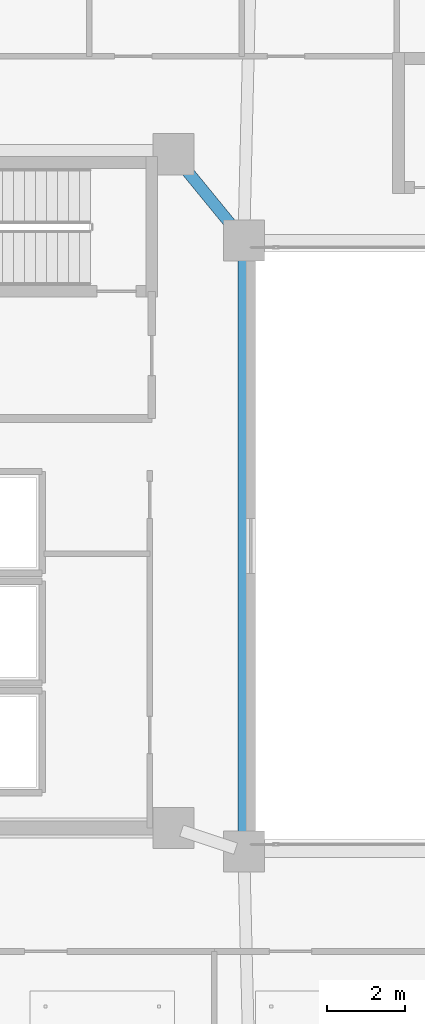
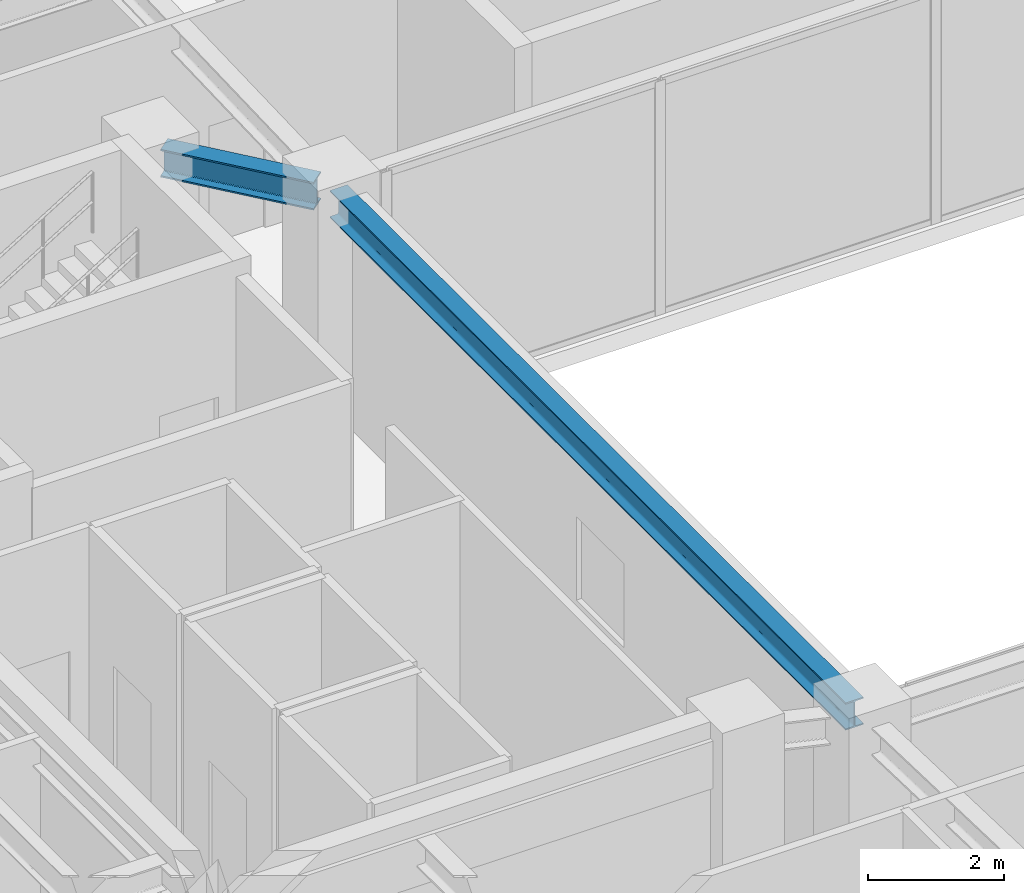
# One storey, part 9 of 33: 2 beams.
"""IFC4 building model written with IfcOpenShell, lengths in metres."""

from ifc_helpers import new_model, si_unit, direction, frame, origin, origin_2d, place, context, subcontext, project, spatial, i_section, extrude, material, material_profile, profile_set, type_object, element, save


model = new_model("IFC4")

# Units and contexts
model_context = context("Model", 3, precision=1e-05, world=origin(), true_north=direction((0.0, 1.0)))
body_context = subcontext(model_context, "Body", "Model", "MODEL_VIEW")
ifc_project = project(units=[si_unit("LENGTHUNIT", "METRE"), si_unit("AREAUNIT", "SQUARE_METRE"), si_unit("VOLUMEUNIT", "CUBIC_METRE"), si_unit("PLANEANGLEUNIT", "RADIAN"), si_unit("MASSUNIT", "GRAM", prefix="KILO")], contexts=[model_context])

# Site, building, storey
site_placement = place(None, origin())
site = spatial("IfcSite", under=ifc_project, at=site_placement, CompositionType="ELEMENT")
building_placement = place(site_placement, origin())
building = spatial("IfcBuilding", under=site, at=building_placement, Name="Tarnavaz Court Tower", CompositionType="ELEMENT")
storey_placement = place(building_placement, frame((0.0, 0.0, 177.300048828125)))
storey = spatial("IfcBuildingStorey", under=building, at=storey_placement, Name="L48", CompositionType="ELEMENT", Elevation=177.300048828125)

# Beams
ifc_material = material(Name="Steel S355", Category="steel")
ifc_material_profile_1 = material_profile(ifc_material, i_section(OverallWidth=0.300048828125, OverallDepth=0.5, WebThickness=0.014404296875, FlangeThickness=0.028076171875, FilletRadius=0.027099609375, at=origin_2d()), Name="HEB 500")
ifc_profile_set_1 = profile_set([ifc_material_profile_1], Name="Steel S355")
beam_type_1 = type_object("IfcBeamType", Name="BM-G-HEB500", PredefinedType="USERDEFINED", material=ifc_profile_set_1)
beam_1_placement = place(storey_placement, frame((-9.460693359375, 9.82958984375, 3.949951171875), z_axis=(0.633282058357, -0.773921077735, 0.0), x_axis=(0.773921077735, 0.633282058357, 0.0)))
element("IfcBeam", 1, at=beam_1_placement, inside=storey, type_object=beam_type_1, Name="L48 Beam IN-CW-NI-IW-NW", ObjectType="GIRDER", PredefinedType="USERDEFINED", context=body_context, shape_type="SweptSolid", body=[
    extrude(i_section(OverallWidth=0.300048828125, OverallDepth=0.5, WebThickness=0.014404296875, FlangeThickness=0.028076171875, FilletRadius=0.027099609375, at=origin_2d()), origin(), (0.0, 0.0, 1.0), 2.402587890625),
])
ifc_material_profile_2 = material_profile(ifc_material, i_section(OverallWidth=0.300048828125, OverallDepth=0.489990234375, WebThickness=0.011962890625, FlangeThickness=0.02294921875, FilletRadius=0.027099609375, at=origin_2d()), Name="HEA 500")
ifc_profile_set_2 = profile_set([ifc_material_profile_2], Name="Steel S355")
beam_type_2 = type_object("IfcBeamType", Name="BM-SP-HEA500", PredefinedType="SPANDREL", material=ifc_profile_set_2)
beam_2_placement = place(storey_placement, frame((-7.800048828125, -7.580078125, 3.954833984375), z_axis=(0.0, 1.0, 0.0), x_axis=(-1.0, 0.0, 0.0)))
element("IfcBeam", 2, at=beam_2_placement, inside=storey, type_object=beam_type_2, Name="L48 Beam IN-IW-SW-IW-NW", PredefinedType="SPANDREL", context=body_context, shape_type="SweptSolid", body=[
    extrude(i_section(OverallWidth=0.300048828125, OverallDepth=0.489990234375, WebThickness=0.011962890625, FlangeThickness=0.02294921875, FilletRadius=0.027099609375, at=origin_2d()), origin(), (0.0, 0.0, 1.0), 15.16015625),
])

save(model, "model.ifc")
